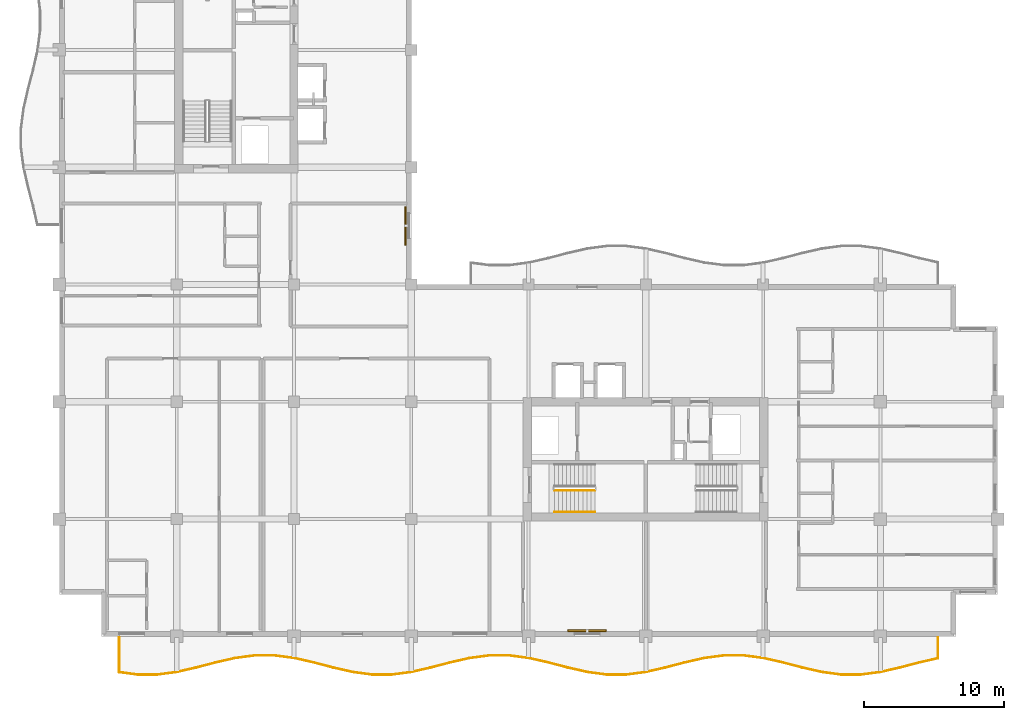
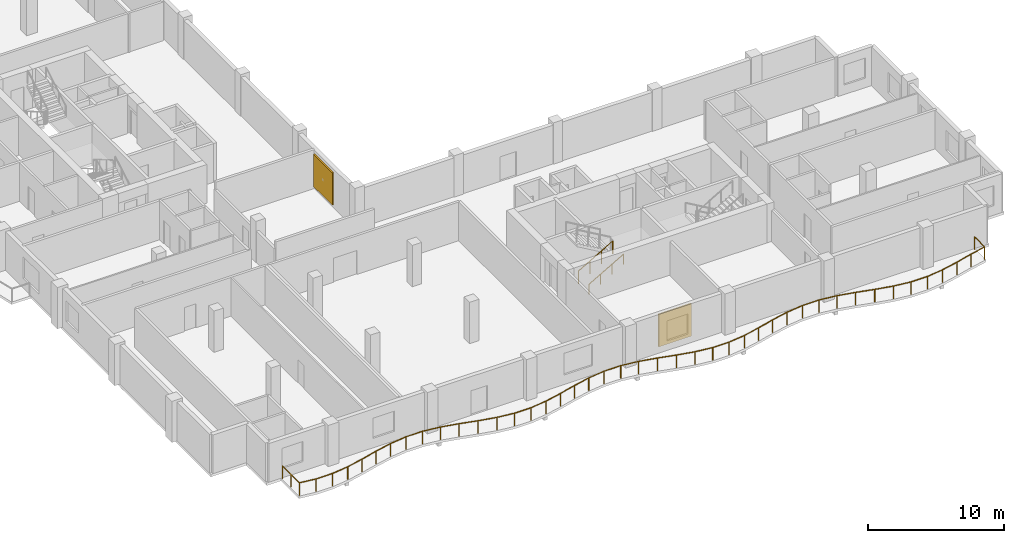
# One storey, part 10 of 12: 3 railings, 2 shading devices.
"""IFC4 building model written with IfcOpenShell, lengths in metres."""

from ifc_helpers import new_model, si_unit, direction, frame, origin, origin_2d, place, context, subcontext, project, spatial, rectangle, circle, extrude, material, layer, layer_set, type_object, element, save


model = new_model("IFC4")

# Units and contexts
model_context = context("Model", 3, precision=1e-05, world=origin(), true_north=direction((0.0, 1.0)))
body_context = subcontext(model_context, "Body", "Model", "MODEL_VIEW")
ifc_project = project(units=[si_unit("LENGTHUNIT", "METRE"), si_unit("AREAUNIT", "SQUARE_METRE"), si_unit("VOLUMEUNIT", "CUBIC_METRE"), si_unit("PLANEANGLEUNIT", "RADIAN"), si_unit("MASSUNIT", "GRAM", prefix="KILO")], contexts=[model_context])

# Site, building, storey
site_placement = place(None, origin())
site = spatial("IfcSite", under=ifc_project, at=site_placement, CompositionType="ELEMENT")
building_placement = place(site_placement, origin())
building = spatial("IfcBuilding", under=site, at=building_placement, Name="Koriwani Terraces Tower", CompositionType="ELEMENT")
storey_placement = place(building_placement, frame((0.0, 0.0, 271.199951171875)))
storey = spatial("IfcBuildingStorey", under=building, at=storey_placement, Name="L67", CompositionType="ELEMENT", Elevation=271.199951171875)

# Railings
ifc_material_1 = material(Name="Steel ASTM A572 Grade 50", Category="steel")
railing_type_1 = type_object("IfcRailingType", Name="GUARD_BALUSTRADE_1150", PredefinedType="BALUSTRADE", material=ifc_material_1)
railing_1_placement = place(storey_placement, frame((12.679931640625, 8.320068359375, 0.0)))
element("IfcRailing", 1, at=railing_1_placement, inside=storey, type_object=railing_type_1, Name="L67 Balcony Perimeter Safety Balustrade (S)", PredefinedType="BALUSTRADE", context=body_context, shape_type="SweptSolid", body=[
    extrude(circle(Radius=0.02392578125, at=origin_2d()), frame((0.0, 0.0, 1.1259765625), z_axis=(0.0, -1.0, 0.0), x_axis=(1.0, 0.0, 0.0)), (0.0, 0.0, 1.0), 2.491943359375),
    extrude(circle(Radius=0.02392578125, at=origin_2d()), frame((0.0, -2.491943359375, 1.1259765625), z_axis=(0.991506441664, -0.130057587779, 0.0), x_axis=(0.130057587779, 0.991506441664, 0.0)), (0.0, 0.0, 1.0), 1.33642578125),
    extrude(circle(Radius=0.02392578125, at=origin_2d()), frame((1.3251953125, -2.665771484375, 1.1259765625), z_axis=(1.0, 0.0, 0.0), x_axis=(0.0, 1.0, 0.0)), (0.0, 0.0, 1.0), 1.3896484375),
    extrude(circle(Radius=0.02392578125, at=origin_2d()), frame((2.71484375, -2.665771484375, 1.1259765625), z_axis=(0.991493340479, 0.130157426935, 0.0), x_axis=(-0.130157426935, 0.991493340479, 0.0)), (0.0, 0.0, 1.0), 1.403076171875),
    extrude(circle(Radius=0.02392578125, at=origin_2d()), frame((4.10595703125, -2.483154296875, 1.1259765625), z_axis=(0.975156320387, 0.221517834068, 0.0), x_axis=(-0.221517834068, 0.975156320387, 0.0)), (0.0, 0.0, 1.0), 1.4306640625),
    extrude(circle(Radius=0.02392578125, at=origin_2d()), frame((5.5009765625, -2.166259765625, 1.1259765625), z_axis=(0.967207664387, 0.253986877518, 0.0), x_axis=(-0.253986877518, 0.967207664387, 0.0)), (0.0, 0.0, 1.0), 1.447509765625),
    extrude(circle(Radius=0.02392578125, at=origin_2d()), frame((6.901123046875, -1.798583984375, 1.1259765625), z_axis=(0.975122866469, 0.221665052023, 0.0), x_axis=(-0.221665052023, 0.975122866469, 0.0)), (0.0, 0.0, 1.0), 1.440673828125),
    extrude(circle(Radius=0.02392578125, at=origin_2d()), frame((8.305908203125, -1.479248046875, 1.1259765625), z_axis=(0.991528403605, 0.12989004906, 0.0), x_axis=(-0.12989004906, 0.991528403605, 0.0)), (0.0, 0.0, 1.0), 1.4208984375),
    extrude(circle(Radius=0.02392578125, at=origin_2d()), frame((9.71484375, -1.294677734375, 1.1259765625), z_axis=(1.0, 0.0, 0.0), x_axis=(0.0, 1.0, 0.0)), (0.0, 0.0, 1.0), 1.410400390625),
    extrude(circle(Radius=0.02392578125, at=origin_2d()), frame((11.125244140625, -1.294677734375, 1.1259765625), z_axis=(0.991528403605, -0.12989004906, 0.0), x_axis=(0.12989004906, 0.991528403605, 0.0)), (0.0, 0.0, 1.0), 1.4208984375),
    extrude(circle(Radius=0.02392578125, at=origin_2d()), frame((12.5341796875, -1.479248046875, 1.1259765625), z_axis=(0.975122866469, -0.221665052023, 0.0), x_axis=(0.221665052023, 0.975122866469, 0.0)), (0.0, 0.0, 1.0), 1.440673828125),
    extrude(circle(Radius=0.02392578125, at=origin_2d()), frame((13.93896484375, -1.798583984375, 1.1259765625), z_axis=(0.967207664387, -0.253986877518, 0.0), x_axis=(0.253986877518, 0.967207664387, 0.0)), (0.0, 0.0, 1.0), 1.447509765625),
    extrude(circle(Radius=0.02392578125, at=origin_2d()), frame((15.339111328125, -2.166259765625, 1.1259765625), z_axis=(0.975156320387, -0.221517834068, 0.0), x_axis=(0.221517834068, 0.975156320387, 0.0)), (0.0, 0.0, 1.0), 1.4306640625),
    extrude(circle(Radius=0.02392578125, at=origin_2d()), frame((16.734130859375, -2.483154296875, 1.1259765625), z_axis=(0.991493340479, -0.130157426935, 0.0), x_axis=(0.130157426935, 0.991493340479, 0.0)), (0.0, 0.0, 1.0), 1.403076171875),
    extrude(circle(Radius=0.02392578125, at=origin_2d()), frame((18.125244140625, -2.665771484375, 1.1259765625), z_axis=(1.0, 0.0, 0.0), x_axis=(0.0, 1.0, 0.0)), (0.0, 0.0, 1.0), 1.3896484375),
    extrude(circle(Radius=0.02392578125, at=origin_2d()), frame((19.514892578125, -2.665771484375, 1.1259765625), z_axis=(0.991493340479, 0.130157426935, 0.0), x_axis=(-0.130157426935, 0.991493340479, 0.0)), (0.0, 0.0, 1.0), 1.403076171875),
    extrude(circle(Radius=0.02392578125, at=origin_2d()), frame((20.906005859375, -2.483154296875, 1.1259765625), z_axis=(0.975156320387, 0.221517834068, 0.0), x_axis=(-0.221517834068, 0.975156320387, 0.0)), (0.0, 0.0, 1.0), 1.4306640625),
    extrude(circle(Radius=0.02392578125, at=origin_2d()), frame((22.301025390625, -2.166259765625, 1.1259765625), z_axis=(0.967207664387, 0.253986877518, 0.0), x_axis=(-0.253986877518, 0.967207664387, 0.0)), (0.0, 0.0, 1.0), 1.447509765625),
    extrude(circle(Radius=0.02392578125, at=origin_2d()), frame((23.701171875, -1.798583984375, 1.1259765625), z_axis=(0.975122866469, 0.221665052023, 0.0), x_axis=(-0.221665052023, 0.975122866469, 0.0)), (0.0, 0.0, 1.0), 1.440673828125),
    extrude(circle(Radius=0.02392578125, at=origin_2d()), frame((25.10595703125, -1.479248046875, 1.1259765625), z_axis=(0.991528403605, 0.12989004906, 0.0), x_axis=(-0.12989004906, 0.991528403605, 0.0)), (0.0, 0.0, 1.0), 1.4208984375),
    extrude(circle(Radius=0.02392578125, at=origin_2d()), frame((26.514892578125, -1.294677734375, 1.1259765625), z_axis=(1.0, 0.0, 0.0), x_axis=(0.0, 1.0, 0.0)), (0.0, 0.0, 1.0), 1.410400390625),
    extrude(circle(Radius=0.02392578125, at=origin_2d()), frame((27.92529296875, -1.294677734375, 1.1259765625), z_axis=(0.991528403605, -0.12989004906, 0.0), x_axis=(0.12989004906, 0.991528403605, 0.0)), (0.0, 0.0, 1.0), 1.4208984375),
    extrude(circle(Radius=0.02392578125, at=origin_2d()), frame((29.334228515625, -1.479248046875, 1.1259765625), z_axis=(0.975122866469, -0.221665052023, 0.0), x_axis=(0.221665052023, 0.975122866469, 0.0)), (0.0, 0.0, 1.0), 1.440673828125),
    extrude(circle(Radius=0.02392578125, at=origin_2d()), frame((30.739013671875, -1.798583984375, 1.1259765625), z_axis=(0.967207664387, -0.253986877518, 0.0), x_axis=(0.253986877518, 0.967207664387, 0.0)), (0.0, 0.0, 1.0), 1.447509765625),
    extrude(circle(Radius=0.02392578125, at=origin_2d()), frame((32.13916015625, -2.166259765625, 1.1259765625), z_axis=(0.975156320387, -0.221517834068, 0.0), x_axis=(0.221517834068, 0.975156320387, 0.0)), (0.0, 0.0, 1.0), 1.4306640625),
    extrude(circle(Radius=0.02392578125, at=origin_2d()), frame((33.5341796875, -2.483154296875, 1.1259765625), z_axis=(0.991493340479, -0.130157426935, 0.0), x_axis=(0.130157426935, 0.991493340479, 0.0)), (0.0, 0.0, 1.0), 1.403076171875),
    extrude(circle(Radius=0.02392578125, at=origin_2d()), frame((34.92529296875, -2.665771484375, 1.1259765625), z_axis=(1.0, 0.0, 0.0), x_axis=(0.0, 1.0, 0.0)), (0.0, 0.0, 1.0), 1.3896484375),
    extrude(circle(Radius=0.02392578125, at=origin_2d()), frame((36.31494140625, -2.665771484375, 1.1259765625), z_axis=(0.991493340479, 0.130157426935, 0.0), x_axis=(-0.130157426935, 0.991493340479, 0.0)), (0.0, 0.0, 1.0), 1.403076171875),
    extrude(circle(Radius=0.02392578125, at=origin_2d()), frame((37.7060546875, -2.483154296875, 1.1259765625), z_axis=(0.975156320387, 0.221517834068, 0.0), x_axis=(-0.221517834068, 0.975156320387, 0.0)), (0.0, 0.0, 1.0), 1.4306640625),
    extrude(circle(Radius=0.02392578125, at=origin_2d()), frame((39.10107421875, -2.166259765625, 1.1259765625), z_axis=(0.967196782226, 0.254028314271, 0.0), x_axis=(-0.254028314271, 0.967196782226, 0.0)), (0.0, 0.0, 1.0), 1.447265625),
    extrude(circle(Radius=0.02392578125, at=origin_2d()), frame((40.5009765625, -1.798583984375, 1.1259765625), z_axis=(0.975131191317, 0.221628427149, 0.0), x_axis=(-0.221628427149, 0.975131191317, 0.0)), (0.0, 0.0, 1.0), 1.44091796875),
    extrude(circle(Radius=0.02392578125, at=origin_2d()), frame((41.906005859375, -1.479248046875, 1.1259765625), z_axis=(0.991528403605, 0.12989004906, 0.0), x_axis=(-0.12989004906, 0.991528403605, 0.0)), (0.0, 0.0, 1.0), 1.4208984375),
    extrude(circle(Radius=0.02392578125, at=origin_2d()), frame((43.31494140625, -1.294677734375, 1.1259765625), z_axis=(1.0, 0.0, 0.0), x_axis=(0.0, 1.0, 0.0)), (0.0, 0.0, 1.0), 1.410400390625),
    extrude(circle(Radius=0.02392578125, at=origin_2d()), frame((44.725341796875, -1.294677734375, 1.1259765625), z_axis=(0.991528403605, -0.12989004906, 0.0), x_axis=(0.12989004906, 0.991528403605, 0.0)), (0.0, 0.0, 1.0), 1.4208984375),
    extrude(circle(Radius=0.02392578125, at=origin_2d()), frame((46.13427734375, -1.479248046875, 1.1259765625), z_axis=(0.975122866469, -0.221665052023, 0.0), x_axis=(0.221665052023, 0.975122866469, 0.0)), (0.0, 0.0, 1.0), 1.440673828125),
    extrude(circle(Radius=0.02392578125, at=origin_2d()), frame((47.5390625, -1.798583984375, 1.1259765625), z_axis=(0.967196782226, -0.254028314271, 0.0), x_axis=(0.254028314271, 0.967196782226, 0.0)), (0.0, 0.0, 1.0), 1.447265625),
    extrude(circle(Radius=0.02392578125, at=origin_2d()), frame((48.93896484375, -2.166259765625, 1.1259765625), z_axis=(0.975164692652, -0.221480974814, 0.0), x_axis=(0.221480974814, 0.975164692652, 0.0)), (0.0, 0.0, 1.0), 1.430908203125),
    extrude(circle(Radius=0.02392578125, at=origin_2d()), frame((50.334228515625, -2.483154296875, 1.1259765625), z_axis=(0.991493340479, -0.130157426935, 0.0), x_axis=(0.130157426935, 0.991493340479, 0.0)), (0.0, 0.0, 1.0), 1.403076171875),
    extrude(circle(Radius=0.02392578125, at=origin_2d()), frame((51.725341796875, -2.665771484375, 1.1259765625), z_axis=(1.0, 0.0, 0.0), x_axis=(0.0, 1.0, 0.0)), (0.0, 0.0, 1.0), 1.3896484375),
    extrude(circle(Radius=0.02392578125, at=origin_2d()), frame((53.114990234375, -2.665771484375, 1.1259765625), z_axis=(0.991490391866, 0.130179886452, 0.0), x_axis=(-0.130179886452, 0.991490391866, 0.0)), (0.0, 0.0, 1.0), 1.40283203125),
    extrude(circle(Radius=0.02392578125, at=origin_2d()), frame((54.505859375, -2.483154296875, 1.1259765625), z_axis=(0.975164692652, 0.221480974814, 0.0), x_axis=(-0.221480974814, 0.975164692652, 0.0)), (0.0, 0.0, 1.0), 1.430908203125),
    extrude(circle(Radius=0.02392578125, at=origin_2d()), frame((55.901123046875, -2.166259765625, 1.1259765625), z_axis=(0.967196782226, 0.254028314271, 0.0), x_axis=(-0.254028314271, 0.967196782226, 0.0)), (0.0, 0.0, 1.0), 1.447265625),
    extrude(circle(Radius=0.02392578125, at=origin_2d()), frame((57.301025390625, -1.798583984375, 1.1259765625), z_axis=(0.97511713615, 0.221690258665, 0.0), x_axis=(-0.221690258665, 0.97511713615, 0.0)), (0.0, 0.0, 1.0), 1.373291015625),
    extrude(circle(Radius=0.02392578125, at=origin_2d()), frame((58.64013671875, -1.494140625, 1.1259765625), z_axis=(0.0, 1.0, 0.0), x_axis=(-1.0, 0.0, 0.0)), (0.0, 0.0, 1.0), 1.494140625),
    extrude(circle(Radius=0.02099609375, at=origin_2d()), origin(), (0.0, 0.0, 1.0), 1.101806640625),
    extrude(circle(Radius=0.02099609375, at=origin_2d()), frame((0.0, -1.24609375, 0.0)), (0.0, 0.0, 1.0), 1.101806640625),
    extrude(circle(Radius=0.02099609375, at=origin_2d()), frame((0.0, -2.491943359375, 0.0)), (0.0, 0.0, 1.0), 1.101806640625),
    extrude(circle(Radius=0.02099609375, at=origin_2d()), frame((1.3251953125, -2.665771484375, 0.0)), (0.0, 0.0, 1.0), 1.101806640625),
    extrude(circle(Radius=0.02099609375, at=origin_2d()), frame((2.71484375, -2.665771484375, 0.0)), (0.0, 0.0, 1.0), 1.101806640625),
    extrude(circle(Radius=0.02099609375, at=origin_2d()), frame((4.10595703125, -2.483154296875, 0.0)), (0.0, 0.0, 1.0), 1.101806640625),
    extrude(circle(Radius=0.02099609375, at=origin_2d()), frame((5.5009765625, -2.166259765625, 0.0)), (0.0, 0.0, 1.0), 1.101806640625),
    extrude(circle(Radius=0.02099609375, at=origin_2d()), frame((6.901123046875, -1.798583984375, 0.0)), (0.0, 0.0, 1.0), 1.101806640625),
    extrude(circle(Radius=0.02099609375, at=origin_2d()), frame((8.305908203125, -1.479248046875, 0.0)), (0.0, 0.0, 1.0), 1.101806640625),
    extrude(circle(Radius=0.02099609375, at=origin_2d()), frame((9.71484375, -1.294677734375, 0.0)), (0.0, 0.0, 1.0), 1.101806640625),
    extrude(circle(Radius=0.02099609375, at=origin_2d()), frame((11.125244140625, -1.294677734375, 0.0)), (0.0, 0.0, 1.0), 1.101806640625),
    extrude(circle(Radius=0.02099609375, at=origin_2d()), frame((12.5341796875, -1.479248046875, 0.0)), (0.0, 0.0, 1.0), 1.101806640625),
    extrude(circle(Radius=0.02099609375, at=origin_2d()), frame((13.93896484375, -1.798583984375, 0.0)), (0.0, 0.0, 1.0), 1.101806640625),
    extrude(circle(Radius=0.02099609375, at=origin_2d()), frame((15.339111328125, -2.166259765625, 0.0)), (0.0, 0.0, 1.0), 1.101806640625),
    extrude(circle(Radius=0.02099609375, at=origin_2d()), frame((16.734130859375, -2.483154296875, 0.0)), (0.0, 0.0, 1.0), 1.101806640625),
    extrude(circle(Radius=0.02099609375, at=origin_2d()), frame((18.125244140625, -2.665771484375, 0.0)), (0.0, 0.0, 1.0), 1.101806640625),
    extrude(circle(Radius=0.02099609375, at=origin_2d()), frame((19.514892578125, -2.665771484375, 0.0)), (0.0, 0.0, 1.0), 1.101806640625),
    extrude(circle(Radius=0.02099609375, at=origin_2d()), frame((20.906005859375, -2.483154296875, 0.0)), (0.0, 0.0, 1.0), 1.101806640625),
    extrude(circle(Radius=0.02099609375, at=origin_2d()), frame((22.301025390625, -2.166259765625, 0.0)), (0.0, 0.0, 1.0), 1.101806640625),
    extrude(circle(Radius=0.02099609375, at=origin_2d()), frame((23.701171875, -1.798583984375, 0.0)), (0.0, 0.0, 1.0), 1.101806640625),
    extrude(circle(Radius=0.02099609375, at=origin_2d()), frame((25.10595703125, -1.479248046875, 0.0)), (0.0, 0.0, 1.0), 1.101806640625),
    extrude(circle(Radius=0.02099609375, at=origin_2d()), frame((26.514892578125, -1.294677734375, 0.0)), (0.0, 0.0, 1.0), 1.101806640625),
    extrude(circle(Radius=0.02099609375, at=origin_2d()), frame((27.92529296875, -1.294677734375, 0.0)), (0.0, 0.0, 1.0), 1.101806640625),
    extrude(circle(Radius=0.02099609375, at=origin_2d()), frame((29.334228515625, -1.479248046875, 0.0)), (0.0, 0.0, 1.0), 1.101806640625),
    extrude(circle(Radius=0.02099609375, at=origin_2d()), frame((30.739013671875, -1.798583984375, 0.0)), (0.0, 0.0, 1.0), 1.101806640625),
    extrude(circle(Radius=0.02099609375, at=origin_2d()), frame((32.13916015625, -2.166259765625, 0.0)), (0.0, 0.0, 1.0), 1.101806640625),
    extrude(circle(Radius=0.02099609375, at=origin_2d()), frame((33.5341796875, -2.483154296875, 0.0)), (0.0, 0.0, 1.0), 1.101806640625),
    extrude(circle(Radius=0.02099609375, at=origin_2d()), frame((34.92529296875, -2.665771484375, 0.0)), (0.0, 0.0, 1.0), 1.101806640625),
    extrude(circle(Radius=0.02099609375, at=origin_2d()), frame((36.31494140625, -2.665771484375, 0.0)), (0.0, 0.0, 1.0), 1.101806640625),
    extrude(circle(Radius=0.02099609375, at=origin_2d()), frame((37.7060546875, -2.483154296875, 0.0)), (0.0, 0.0, 1.0), 1.101806640625),
    extrude(circle(Radius=0.02099609375, at=origin_2d()), frame((39.10107421875, -2.166259765625, 0.0)), (0.0, 0.0, 1.0), 1.101806640625),
    extrude(circle(Radius=0.02099609375, at=origin_2d()), frame((40.5009765625, -1.798583984375, 0.0)), (0.0, 0.0, 1.0), 1.101806640625),
    extrude(circle(Radius=0.02099609375, at=origin_2d()), frame((41.906005859375, -1.479248046875, 0.0)), (0.0, 0.0, 1.0), 1.101806640625),
    extrude(circle(Radius=0.02099609375, at=origin_2d()), frame((43.31494140625, -1.294677734375, 0.0)), (0.0, 0.0, 1.0), 1.101806640625),
    extrude(circle(Radius=0.02099609375, at=origin_2d()), frame((44.725341796875, -1.294677734375, 0.0)), (0.0, 0.0, 1.0), 1.101806640625),
    extrude(circle(Radius=0.02099609375, at=origin_2d()), frame((46.13427734375, -1.479248046875, 0.0)), (0.0, 0.0, 1.0), 1.101806640625),
    extrude(circle(Radius=0.02099609375, at=origin_2d()), frame((47.5390625, -1.798583984375, 0.0)), (0.0, 0.0, 1.0), 1.101806640625),
    extrude(circle(Radius=0.02099609375, at=origin_2d()), frame((48.93896484375, -2.166259765625, 0.0)), (0.0, 0.0, 1.0), 1.101806640625),
    extrude(circle(Radius=0.02099609375, at=origin_2d()), frame((50.334228515625, -2.483154296875, 0.0)), (0.0, 0.0, 1.0), 1.101806640625),
    extrude(circle(Radius=0.02099609375, at=origin_2d()), frame((51.725341796875, -2.665771484375, 0.0)), (0.0, 0.0, 1.0), 1.101806640625),
    extrude(circle(Radius=0.02099609375, at=origin_2d()), frame((53.114990234375, -2.665771484375, 0.0)), (0.0, 0.0, 1.0), 1.101806640625),
    extrude(circle(Radius=0.02099609375, at=origin_2d()), frame((54.505859375, -2.483154296875, 0.0)), (0.0, 0.0, 1.0), 1.101806640625),
    extrude(circle(Radius=0.02099609375, at=origin_2d()), frame((55.901123046875, -2.166259765625, 0.0)), (0.0, 0.0, 1.0), 1.101806640625),
    extrude(circle(Radius=0.02099609375, at=origin_2d()), frame((57.301025390625, -1.798583984375, 0.0)), (0.0, 0.0, 1.0), 1.101806640625),
    extrude(circle(Radius=0.02099609375, at=origin_2d()), frame((58.64013671875, -1.494140625, 0.0)), (0.0, 0.0, 1.0), 1.101806640625),
    extrude(circle(Radius=0.02099609375, at=origin_2d()), frame((58.64013671875, 0.0, 0.0)), (0.0, 0.0, 1.0), 1.101806640625),
])
railing_type_2 = type_object("IfcRailingType", Name="GUARD_STAIR_WELL_1120", PredefinedType="GUARDRAIL", material=ifc_material_1)
railing_2_placement = place(storey_placement, frame((43.85009765625, 18.85009765625, 0.168212890625)))
element("IfcRailing", 2, at=railing_2_placement, inside=storey, type_object=railing_type_2, Name="L67 ST-E1 stair guard 1", PredefinedType="GUARDRAIL", context=body_context, shape_type="SweptSolid", body=[
    extrude(circle(Radius=0.02392578125, at=origin_2d()), frame((0.0, 0.0, 1.1259765625), z_axis=(0.865038774852, 0.0, 0.501705010941), x_axis=(0.0, 1.0, 0.0)), (0.0, 0.0, 1.0), 3.352294921875),
    extrude(circle(Radius=0.02099609375, at=origin_2d()), origin(), (0.0, 0.0, 1.0), 1.101806640625),
    extrude(circle(Radius=0.02099609375, at=origin_2d()), frame((0.966552734375, 0.0, 0.560546875)), (0.0, 0.0, 1.0), 1.101806640625),
    extrude(circle(Radius=0.02099609375, at=origin_2d()), frame((1.933349609375, 0.0, 1.121337890625)), (0.0, 0.0, 1.0), 1.101806640625),
    extrude(circle(Radius=0.02099609375, at=origin_2d()), frame((2.89990234375, 0.0, 1.681884765625)), (0.0, 0.0, 1.0), 1.101806640625),
])
railing_type_3 = type_object("IfcRailingType", Name="HANDRAIL_STAIR_920", PredefinedType="HANDRAIL", material=ifc_material_1)
railing_3_placement = place(storey_placement, frame((43.85009765625, 17.300048828125, 0.168212890625)))
element("IfcRailing", 3, at=railing_3_placement, inside=storey, type_object=railing_type_3, Name="L67 ST-E1 stair handrail 1", PredefinedType="HANDRAIL", context=body_context, shape_type="SweptSolid", body=[
    extrude(circle(Radius=0.02392578125, at=origin_2d()), frame((0.0, 0.0, 0.8759765625), z_axis=(0.865038774852, 0.0, 0.501705010941), x_axis=(0.0, 1.0, 0.0)), (0.0, 0.0, 1.0), 3.352294921875),
    extrude(circle(Radius=0.02099609375, at=origin_2d()), origin(), (0.0, 0.0, 1.0), 0.851806640625),
    extrude(circle(Radius=0.02099609375, at=origin_2d()), frame((0.966552734375, 0.0, 0.560546875)), (0.0, 0.0, 1.0), 0.851806640625),
    extrude(circle(Radius=0.02099609375, at=origin_2d()), frame((1.933349609375, 0.0, 1.121337890625)), (0.0, 0.0, 1.0), 0.851806640625),
    extrude(circle(Radius=0.02099609375, at=origin_2d()), frame((2.89990234375, 0.0, 1.681884765625)), (0.0, 0.0, 1.0), 0.851806640625),
])

# Shading devices
ifc_material_2 = material(Name="Extruded Terracotta Clay", Category="masonry")
ifc_layer = layer(ifc_material_2, 0.1201171875, Name="Extruded Terracotta Clay")
ifc_layer_set = layer_set([ifc_layer], Name="Extruded Terracotta Clay")
shading_device_type = type_object("IfcShadingDeviceType", Name="TERRACOTTA_BAGUETTE_SCREEN_2800", PredefinedType="USERDEFINED", material=ifc_layer_set)
for number, where, z_axis, x_axis, name in (
    (4, (33.195068359375, 37.800048828125, 0.28515625), (0.0, 0.0, 1.0), (0.0, -1.0, 0.0), "L67 Extruded Terracotta Baguette Screen (NW_IN-2)"),
    (5, (46.199951171875, 8.804931640625, 0.28515625), (0.0, 0.0, 1.0), (-1.0, 0.0, 0.0), "L67 Extruded Terracotta Baguette Screen (S-12)"),
):
    element("IfcShadingDevice", number, at=place(storey_placement, frame(where, z_axis=z_axis, x_axis=x_axis)), inside=storey, type_object=shading_device_type, Name=name, ObjectType="BAGUETTE", PredefinedType="USERDEFINED", context=body_context, shape_type="SweptSolid", body=[
        extrude(rectangle(XDim=2.760009765625, YDim=0.1201171875, at=origin_2d()), origin(), (0.0, 0.0, 1.0), 2.89990234375),
    ])

save(model, "model.ifc")
